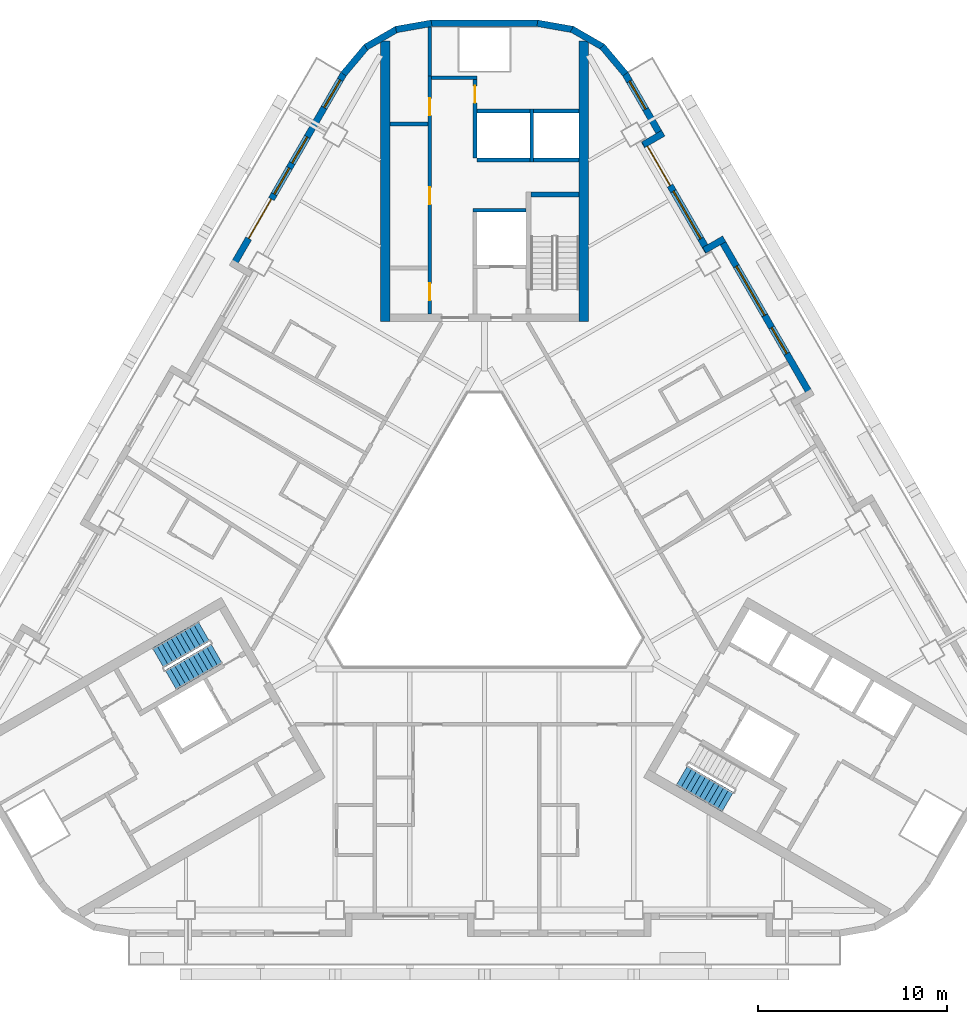
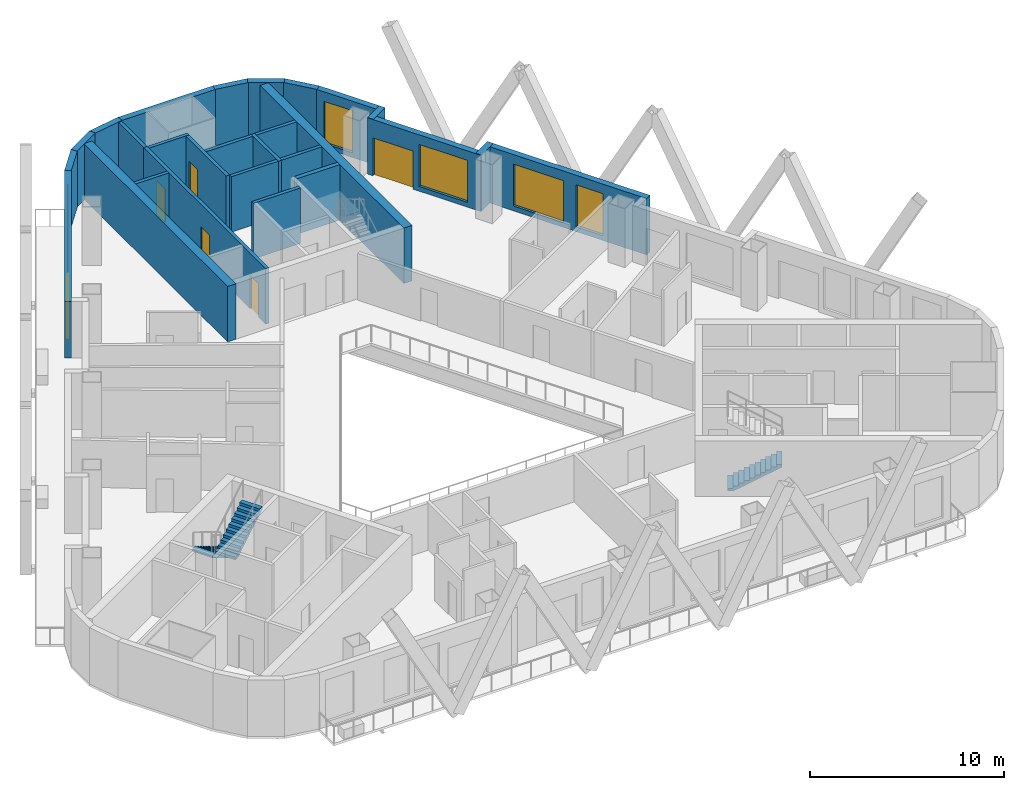
# One storey, part 7 of 14: 27 walls, 7 windows, 6 doors, 3 stair flights, 13 openings, 2 elements without a shape of their own.
"""IFC4 building model written with IfcOpenShell, lengths in metres."""

from ifc_helpers import new_model, si_unit, direction, frame, frame_2d, origin, place, context, subcontext, project, spatial, polyline, rectangle, outline, extrude, material, layer, layer_set, type_object, element, fill, aggregate, save


model = new_model("IFC4")

# Units and contexts
model_context = context("Model", 3, precision=1e-05, world=origin(), true_north=direction((0.0, 1.0)))
body_context = subcontext(model_context, "Body", "Model", "MODEL_VIEW")
ifc_project = project(units=[si_unit("LENGTHUNIT", "METRE"), si_unit("AREAUNIT", "SQUARE_METRE"), si_unit("VOLUMEUNIT", "CUBIC_METRE"), si_unit("PLANEANGLEUNIT", "RADIAN"), si_unit("MASSUNIT", "GRAM", prefix="KILO")], contexts=[model_context])

# Site, building, storey
site_placement = place(None, origin())
site = spatial("IfcSite", under=ifc_project, at=site_placement, CompositionType="ELEMENT")
building_placement = place(site_placement, origin())
building = spatial("IfcBuilding", under=site, at=building_placement, Name="Apuvela Tower Hotel", CompositionType="ELEMENT")
storey_placement = place(building_placement, frame((0.0, 0.0, 53.89990234375)))
storey = spatial("IfcBuildingStorey", under=building, at=storey_placement, Name="L10", CompositionType="ELEMENT", Elevation=53.89990234375)

# Walls
ifc_material_1 = material(Name="Concrete C50/60", Category="concrete")
ifc_layer_1 = layer(ifc_material_1, 0.5)
ifc_layer_set_1 = layer_set([ifc_layer_1], Name="COR-WALL-CORE-500")
wall_type_1 = type_object("IfcWallType", Name="COR-WALL-CORE-500", PredefinedType="SHEAR", material=ifc_layer_set_1)
for number, where, z_axis, x_axis, name in (
    (1, (5.25, 12.89990234375, 0.0), (0.0, 0.0, 1.0), (0.0, 1.0, 0.0), "Core wall N"),
    (2, (-5.25, 12.89990234375, 0.0), (0.0, 0.0, 1.0), (0.0, 1.0, 0.0), "Core wall N"),
):
    element("IfcWall", number, at=place(storey_placement, frame(where, z_axis=z_axis, x_axis=x_axis)), inside=storey, type_object=wall_type_1, Name=name, PredefinedType="SHEAR", context=body_context, shape_type="SweptSolid", body=[
        extrude(rectangle(XDim=14.8369140625, YDim=0.5, at=frame_2d((7.41845703125, 0.0))), origin(), (0.0, 0.0, 1.0), 3.5),
    ])
ifc_material_2 = material(Name="Blockwork 200 mm plastered", Category="masonry")
ifc_layer_2 = layer(ifc_material_2, 0.199951171875)
ifc_layer_set_2 = layer_set([ifc_layer_2], Name="COR-WALL-PART-200")
wall_type_2 = type_object("IfcWallType", Name="COR-WALL-PART-200", PredefinedType="PARTITIONING", material=ifc_layer_set_2)
wall_1_placement = place(storey_placement, frame((5.0, 21.449951171875, 0.0), z_axis=(0.0, 0.0, 1.0), x_axis=(-1.0, 0.0, 0.0)))
element("IfcWall", 3, at=wall_1_placement, inside=storey, type_object=wall_type_2, Name="Partition N", PredefinedType="PARTITIONING", context=body_context, shape_type="SweptSolid", body=[
    extrude(rectangle(XDim=2.39990234375, YDim=0.199951171875, at=frame_2d((1.199951171875, 0.0))), origin(), (0.0, 0.0, 1.0), 3.5),
])
wall_2_placement = place(storey_placement, frame((2.39990234375, 21.449951171875, 0.0), z_axis=(0.0, 0.0, 1.0), x_axis=(-1.0, 0.0, 0.0)))
element("IfcWall", 4, at=wall_2_placement, inside=storey, type_object=wall_type_2, Name="Partition N", PredefinedType="PARTITIONING", context=body_context, shape_type="SweptSolid", body=[
    extrude(rectangle(XDim=2.7998046875, YDim=0.199951171875, at=frame_2d((1.39990234375, 0.0))), origin(), (0.0, 0.0, 1.0), 3.5),
])
ifc_layer_3 = layer(ifc_material_1, 0.199951171875)
ifc_layer_set_3 = layer_set([ifc_layer_3], Name="COR-WALL-SHAFT-200")
wall_type_3 = type_object("IfcWallType", Name="COR-WALL-SHAFT-200", PredefinedType="SHEAR", material=ifc_layer_set_3)
wall_3_placement = place(storey_placement, frame((2.199951171875, 18.800048828125, 0.0), z_axis=(0.0, 0.0, 1.0), x_axis=(-1.0, 0.0, 0.0)))
element("IfcWall", 5, at=wall_3_placement, inside=storey, type_object=wall_type_3, Name="Shaft wall N", PredefinedType="SHEAR", context=body_context, shape_type="SweptSolid", body=[
    extrude(rectangle(XDim=2.800048828125, YDim=0.199951171875, at=frame_2d((1.39990234375, 0.0))), origin(), (0.0, 0.0, 1.0), 3.5),
])

# Wall, openings, doors
wall_4_placement = place(storey_placement, frame((-2.89990234375, 13.300048828125, 0.0), z_axis=(0.0, 0.0, 1.0), x_axis=(0.0, 1.0, 0.0)))
wall_4 = element("IfcWall", 6, at=wall_4_placement, inside=storey, type_object=wall_type_3, Name="Shaft wall N", PredefinedType="SHEAR", context=body_context, shape_type="SweptSolid", body=[
    extrude(rectangle(XDim=12.599853515625, YDim=0.199951171875, at=frame_2d((6.2998046875, 0.0))), origin(), (0.0, 0.0, 1.0), 3.5),
])
opening_1_placement = place(wall_4_placement, frame((0.719970703125, 0.0, 0.0)))
opening_1 = element("IfcOpeningElement", 7, at=opening_1_placement, cuts=wall_4, Name="Opening N-RE1", PredefinedType="OPENING", context=body_context, shape_type="SweptSolid", body=[
    extrude(rectangle(XDim=0.89990234375, YDim=2.10009765625, at=frame_2d((0.449951171875, 1.050048828125))), frame((0.0, 0.10986328125, 0.0), z_axis=(0.0, -1.0, 0.0), x_axis=(1.0, 0.0, 0.0)), (0.0, 0.0, 1.0), 0.219970703125),
])
opening_2_placement = place(wall_4_placement, frame((5.800048828125, 0.0, 0.0)))
opening_2 = element("IfcOpeningElement", 8, at=opening_2_placement, cuts=wall_4, Name="Opening N-RE2", PredefinedType="OPENING", context=body_context, shape_type="SweptSolid", body=[
    extrude(rectangle(XDim=0.89990234375, YDim=2.10009765625, at=frame_2d((0.449951171875, 1.050048828125))), frame((0.0, 0.10986328125, 0.0), z_axis=(0.0, -1.0, 0.0), x_axis=(1.0, 0.0, 0.0)), (0.0, 0.0, 1.0), 0.219970703125),
])
opening_3_placement = place(wall_4_placement, frame((10.510009765625, 0.0, 0.0)))
opening_3 = element("IfcOpeningElement", 9, at=opening_3_placement, cuts=wall_4, Name="Opening N-REP", PredefinedType="OPENING", context=body_context, shape_type="SweptSolid", body=[
    extrude(rectangle(XDim=0.89990234375, YDim=2.10009765625, at=frame_2d((0.449951171875, 1.050048828125))), frame((0.0, 0.10986328125, 0.0), z_axis=(0.0, -1.0, 0.0), x_axis=(1.0, 0.0, 0.0)), (0.0, 0.0, 1.0), 0.219970703125),
])
ifc_material_3 = material(Name="Steel fire door, powder coated", Category="steel")
door_type_1 = type_object("IfcDoorType", Name="COR-DR-900", OperationType="NOTDEFINED", PredefinedType="DOOR", material=ifc_material_3)
door_1_placement = place(opening_1_placement, origin())
door_1 = element("IfcDoor", 10, at=door_1_placement, inside=storey, type_object=door_type_1, Name="Store door N-RE1", OperationType="SINGLE_SWING_LEFT", OverallHeight=2.10009765625, OverallWidth=0.89990234375, PredefinedType="DOOR", context=body_context, shape_type="SweptSolid", body=[
    extrude(rectangle(XDim=0.89990234375, YDim=2.10009765625, at=frame_2d((0.449951171875, 1.050048828125))), frame((0.0, 0.02490234375, 0.0), z_axis=(0.0, -1.0, 0.0), x_axis=(1.0, 0.0, 0.0)), (0.0, 0.0, 1.0), 0.050048828125),
])
fill(opening_1, door_1)
door_2_placement = place(opening_2_placement, origin())
door_2 = element("IfcDoor", 11, at=door_2_placement, inside=storey, type_object=door_type_1, Name="Store door N-RE2", OperationType="SINGLE_SWING_RIGHT", OverallHeight=2.10009765625, OverallWidth=0.89990234375, PredefinedType="DOOR", context=body_context, shape_type="SweptSolid", body=[
    extrude(rectangle(XDim=0.89990234375, YDim=2.10009765625, at=frame_2d((0.449951171875, 1.050048828125))), frame((0.0, 0.02490234375, 0.0), z_axis=(0.0, -1.0, 0.0), x_axis=(1.0, 0.0, 0.0)), (0.0, 0.0, 1.0), 0.050048828125),
])
fill(opening_2, door_2)
door_3_placement = place(opening_3_placement, origin())
door_3 = element("IfcDoor", 12, at=door_3_placement, inside=storey, type_object=door_type_1, Name="Store door N-REP", OperationType="SINGLE_SWING_RIGHT", OverallHeight=2.10009765625, OverallWidth=0.89990234375, PredefinedType="DOOR", context=body_context, shape_type="SweptSolid", body=[
    extrude(rectangle(XDim=0.89990234375, YDim=2.10009765625, at=frame_2d((0.449951171875, 1.050048828125))), frame((0.0, 0.02490234375, 0.0), z_axis=(0.0, -1.0, 0.0), x_axis=(1.0, 0.0, 0.0)), (0.0, 0.0, 1.0), 0.050048828125),
])
fill(opening_3, door_3)

# Wall
wall_5_placement = place(storey_placement, frame((-0.39990234375, 25.800048828125, 0.0), z_axis=(0.0, 0.0, 1.0), x_axis=(-1.0, 0.0, 0.0)))
element("IfcWall", 13, at=wall_5_placement, inside=storey, type_object=wall_type_3, Name="Shaft wall N", PredefinedType="SHEAR", context=body_context, shape_type="SweptSolid", body=[
    extrude(rectangle(XDim=2.400146484375, YDim=0.199951171875, at=frame_2d((1.2001953125, 0.0))), origin(), (0.0, 0.0, 1.0), 3.5),
])

# Wall, opening, door
wall_6_placement = place(storey_placement, frame((-0.5, 21.550048828125, 0.0), z_axis=(0.0, 0.0, 1.0), x_axis=(0.0, 1.0, 0.0)))
wall_6 = element("IfcWall", 14, at=wall_6_placement, inside=storey, type_object=wall_type_3, Name="Shaft wall N", PredefinedType="SHEAR", context=body_context, shape_type="SweptSolid", body=[
    extrude(rectangle(XDim=4.14990234375, YDim=0.199951171875, at=frame_2d((2.074951171875, 0.0))), origin(), (0.0, 0.0, 1.0), 3.5),
])
opening_4_placement = place(wall_6_placement, frame((2.925048828125, 0.0, 0.0)))
opening_4 = element("IfcOpeningElement", 15, at=opening_4_placement, cuts=wall_6, Name="Opening N-RSP", PredefinedType="OPENING", context=body_context, shape_type="SweptSolid", body=[
    extrude(rectangle(XDim=0.89990234375, YDim=2.10009765625, at=frame_2d((0.449951171875, 1.050048828125))), frame((0.0, 0.10986328125, 0.0), z_axis=(0.0, -1.0, 0.0), x_axis=(1.0, 0.0, 0.0)), (0.0, 0.0, 1.0), 0.219970703125),
])
door_4_placement = place(opening_4_placement, frame((0.89990234375, 0.0, 0.0), z_axis=(0.0, 0.0, 1.0), x_axis=(-1.0, 0.0, 0.0)))
door_4 = element("IfcDoor", 16, at=door_4_placement, inside=storey, type_object=door_type_1, Name="Store door N-RSP", OperationType="SINGLE_SWING_LEFT", OverallHeight=2.10009765625, OverallWidth=0.89990234375, PredefinedType="DOOR", context=body_context, shape_type="SweptSolid", body=[
    extrude(rectangle(XDim=0.89990234375, YDim=2.10009765625, at=frame_2d((0.449951171875, 1.050048828125))), frame((0.0, 0.02490234375, 0.0), z_axis=(0.0, -1.0, 0.0), x_axis=(1.0, 0.0, 0.0)), (0.0, 0.0, 1.0), 0.050048828125),
])
fill(opening_4, door_4)

# Walls
wall_7_placement = place(storey_placement, frame((-3.0, 23.360107421875, 0.0), z_axis=(0.0, 0.0, 1.0), x_axis=(-1.0, 0.0, 0.0)))
element("IfcWall", 17, at=wall_7_placement, inside=storey, type_object=wall_type_3, Name="Shaft wall N", PredefinedType="SHEAR", context=body_context, shape_type="SweptSolid", body=[
    extrude(rectangle(XDim=2.0, YDim=0.199951171875, at=frame_2d((1.0, 0.0))), origin(), (0.0, 0.0, 1.0), 3.5),
])
wall_8_placement = place(storey_placement, frame((-2.89990234375, 25.89990234375, 0.0), z_axis=(0.0, 0.0, 1.0), x_axis=(0.0, 1.0, 0.0)))
element("IfcWall", 18, at=wall_8_placement, inside=storey, type_object=wall_type_3, Name="Shaft wall N", PredefinedType="SHEAR", context=body_context, shape_type="SweptSolid", body=[
    extrude(rectangle(XDim=2.60009765625, YDim=0.199951171875, at=frame_2d((1.300048828125, 0.0))), origin(), (0.0, 0.0, 1.0), 3.5),
])
wall_9_placement = place(storey_placement, frame((2.5, 21.35009765625, 0.0), z_axis=(0.0, 0.0, 1.0), x_axis=(0.0, 1.0, 0.0)))
element("IfcWall", 19, at=wall_9_placement, inside=storey, type_object=wall_type_3, Name="Shaft wall N", PredefinedType="SHEAR", context=body_context, shape_type="SweptSolid", body=[
    extrude(rectangle(XDim=2.7998046875, YDim=0.199951171875, at=frame_2d((1.39990234375, 0.0))), origin(), (0.0, 0.0, 1.0), 3.5),
])
wall_10_placement = place(storey_placement, frame((5.0, 24.050048828125, 0.0), z_axis=(0.0, 0.0, 1.0), x_axis=(-1.0, 0.0, 0.0)))
element("IfcWall", 20, at=wall_10_placement, inside=storey, type_object=wall_type_3, Name="Shaft wall N", PredefinedType="SHEAR", context=body_context, shape_type="SweptSolid", body=[
    extrude(rectangle(XDim=2.39990234375, YDim=0.199951171875, at=frame_2d((1.199951171875, 0.0))), origin(), (0.0, 0.0, 1.0), 3.5),
])
wall_11_placement = place(storey_placement, frame((2.39990234375, 24.050048828125, 0.0), z_axis=(0.0, 0.0, 1.0), x_axis=(-1.0, 0.0, 0.0)))
element("IfcWall", 21, at=wall_11_placement, inside=storey, type_object=wall_type_3, Name="Shaft wall N", PredefinedType="SHEAR", context=body_context, shape_type="SweptSolid", body=[
    extrude(rectangle(XDim=2.7998046875, YDim=0.199951171875, at=frame_2d((1.39990234375, 0.0))), origin(), (0.0, 0.0, 1.0), 3.5),
])
ifc_layer_4 = layer(ifc_material_1, 0.25)
ifc_layer_set_4 = layer_set([ifc_layer_4], Name="COR-WALL-STAIR-250")
wall_type_4 = type_object("IfcWallType", Name="COR-WALL-STAIR-250", PredefinedType="SHEAR", material=ifc_layer_set_4)
wall_12_placement = place(storey_placement, frame((5.0, 19.625, 0.0), z_axis=(0.0, 0.0, 1.0), x_axis=(-1.0, 0.0, 0.0)))
element("IfcWall", 22, at=wall_12_placement, inside=storey, type_object=wall_type_4, Name="Stair wall N", PredefinedType="SHEAR", context=body_context, shape_type="SweptSolid", body=[
    extrude(rectangle(XDim=2.550048828125, YDim=0.25, at=frame_2d((1.27490234375, 0.0))), origin(), (0.0, 0.0, 1.0), 3.5),
])

# Wall, openings, door, windows
ifc_material_4 = material(Name="Concrete C40/50, dark pigmented precast panel", Category="concrete")
ifc_layer_5 = layer(ifc_material_4, 0.35009765625)
ifc_layer_set_5 = layer_set([ifc_layer_5], Name="ENV-WALL-350")
wall_type_5 = type_object("IfcWallType", Name="ENV-WALL-350", PredefinedType="SOLIDWALL", material=ifc_layer_set_5)
wall_13_placement = place(storey_placement, frame((-7.440673828125, 26.0224609375, 0.0), z_axis=(0.0, 0.0, 1.0), x_axis=(-0.499992533062, -0.86602971478, 0.0)))
wall_13 = element("IfcWall", 23, at=wall_13_placement, inside=storey, type_object=wall_type_5, Name="External wall L10-01", PredefinedType="SOLIDWALL", context=body_context, shape_type="SweptSolid", body=[
    extrude(rectangle(XDim=11.815673828125, YDim=0.35009765625, at=frame_2d((5.90771484375, 0.0))), origin(), (0.0, 0.0, 1.0), 3.550048828125),
])
opening_5_placement = place(wall_13_placement, frame((0.381103515625, 0.0, 0.300048828125)))
opening_5 = element("IfcOpeningElement", 24, at=opening_5_placement, cuts=wall_13, Name="Opening WN17", PredefinedType="OPENING", context=body_context, shape_type="SweptSolid", body=[
    extrude(rectangle(XDim=1.699951171875, YDim=2.64990234375, at=frame_2d((0.85009765625, 1.324951171875))), frame((0.0, 0.18505859375, 0.0), z_axis=(0.0, -1.0, 0.0), x_axis=(1.0, 0.0, 0.0)), (0.0, 0.0, 1.0), 0.3701171875),
])
opening_6_placement = place(wall_13_placement, frame((7.66552734375, 0.0, 0.0)))
opening_6 = element("IfcOpeningElement", 25, at=opening_6_placement, cuts=wall_13, Name="Opening BD24", PredefinedType="OPENING", context=body_context, shape_type="SweptSolid", body=[
    extrude(rectangle(XDim=2.39990234375, YDim=2.39990234375, at=frame_2d((1.199951171875, 1.199951171875))), frame((0.0, 0.18505859375, 0.0), z_axis=(0.0, -1.0, 0.0), x_axis=(1.0, 0.0, 0.0)), (0.0, 0.0, 1.0), 0.3701171875),
])
opening_7_placement = place(wall_13_placement, frame((3.865478515625, 0.0, 0.300048828125)))
opening_7 = element("IfcOpeningElement", 26, at=opening_7_placement, cuts=wall_13, Name="Opening WN16", PredefinedType="OPENING", context=body_context, shape_type="SweptSolid", body=[
    extrude(rectangle(XDim=1.60009765625, YDim=2.64990234375, at=frame_2d((0.800048828125, 1.324951171875))), frame((0.0, 0.18505859375, 0.0), z_axis=(0.0, -1.0, 0.0), x_axis=(1.0, 0.0, 0.0)), (0.0, 0.0, 1.0), 0.3701171875),
])
opening_8_placement = place(wall_13_placement, frame((5.765380859375, 0.0, 0.300048828125)))
opening_8 = element("IfcOpeningElement", 27, at=opening_8_placement, cuts=wall_13, Name="Opening WN16", PredefinedType="OPENING", context=body_context, shape_type="SweptSolid", body=[
    extrude(rectangle(XDim=1.60009765625, YDim=2.64990234375, at=frame_2d((0.800048828125, 1.324951171875))), frame((0.0, 0.18505859375, 0.0), z_axis=(0.0, -1.0, 0.0), x_axis=(1.0, 0.0, 0.0)), (0.0, 0.0, 1.0), 0.3701171875),
])
ifc_material_5 = material(Name="Aluminium 6063-T6, dark bronze anodised frame with dark tinted laminated glass", Category="aluminium")
door_type_2 = type_object("IfcDoorType", Name="ENV-DOOR-BALCONY-2400x2400", OperationType="SLIDING_TO_LEFT", PredefinedType="DOOR", material=ifc_material_5)
door_5_placement = place(opening_6_placement, frame((2.39990234375, 0.0, 0.0), z_axis=(0.0, 0.0, 1.0), x_axis=(-1.0, 0.0, 0.0)))
door_5 = element("IfcDoor", 28, at=door_5_placement, inside=storey, type_object=door_type_2, Name="Balcony door BD24", OperationType="SLIDING_TO_LEFT", OverallHeight=2.39990234375, OverallWidth=2.39990234375, PredefinedType="DOOR", context=body_context, shape_type="SweptSolid", body=[
    extrude(rectangle(XDim=2.39990234375, YDim=2.39990234375, at=frame_2d((1.199951171875, 1.199951171875))), frame((0.0, 0.02490234375, 0.0), z_axis=(0.0, -1.0, 0.0), x_axis=(1.0, 0.0, 0.0)), (0.0, 0.0, 1.0), 0.050048828125),
])
fill(opening_6, door_5)
ifc_material_6 = material(Name="Glass, dark tinted laminated insulated glazing unit", Category="glass")
window_type_1 = type_object("IfcWindowType", Name="ENV-WIN-1600x2650", PartitioningType="SINGLE_PANEL", PredefinedType="WINDOW", material=ifc_material_6)
window_1_placement = place(opening_7_placement, origin())
window_1 = element("IfcWindow", 29, at=window_1_placement, inside=storey, type_object=window_type_1, Name="Window WN16", OverallHeight=2.64990234375, OverallWidth=1.60009765625, PartitioningType="SINGLE_PANEL", PredefinedType="WINDOW", context=body_context, shape_type="SweptSolid", body=[
    extrude(rectangle(XDim=1.60009765625, YDim=2.64990234375, at=frame_2d((0.800048828125, 1.324951171875))), frame((0.0, 0.030029296875, 0.0), z_axis=(0.0, -1.0, 0.0), x_axis=(1.0, 0.0, 0.0)), (0.0, 0.0, 1.0), 0.06005859375),
])
fill(opening_7, window_1)
window_2_placement = place(opening_8_placement, origin())
window_2 = element("IfcWindow", 30, at=window_2_placement, inside=storey, type_object=window_type_1, Name="Window WN16", OverallHeight=2.64990234375, OverallWidth=1.60009765625, PartitioningType="SINGLE_PANEL", PredefinedType="WINDOW", context=body_context, shape_type="SweptSolid", body=[
    extrude(rectangle(XDim=1.60009765625, YDim=2.64990234375, at=frame_2d((0.800048828125, 1.324951171875))), frame((0.0, 0.030029296875, 0.0), z_axis=(0.0, -1.0, 0.0), x_axis=(1.0, 0.0, 0.0)), (0.0, 0.0, 1.0), 0.06005859375),
])
fill(opening_8, window_2)
window_type_2 = type_object("IfcWindowType", Name="ENV-WIN-1700x2650", PartitioningType="SINGLE_PANEL", PredefinedType="WINDOW", material=ifc_material_6)
window_3_placement = place(opening_5_placement, origin())
window_3 = element("IfcWindow", 31, at=window_3_placement, inside=storey, type_object=window_type_2, Name="Window WN17", OverallHeight=2.64990234375, OverallWidth=1.699951171875, PartitioningType="SINGLE_PANEL", PredefinedType="WINDOW", context=body_context, shape_type="SweptSolid", body=[
    extrude(rectangle(XDim=1.699951171875, YDim=2.64990234375, at=frame_2d((0.85009765625, 1.324951171875))), frame((0.0, 0.030029296875, 0.0), z_axis=(0.0, -1.0, 0.0), x_axis=(1.0, 0.0, 0.0)), (0.0, 0.0, 1.0), 0.06005859375),
])
fill(opening_5, window_3)

# Wall, openings, windows
wall_14_placement = place(storey_placement, frame((17.298583984375, 8.947998046875, 0.0), z_axis=(0.0, 0.0, 1.0), x_axis=(-0.500010041276, 0.866019606374, 0.0)))
wall_14 = element("IfcWall", 32, at=wall_14_placement, inside=storey, type_object=wall_type_5, Name="External wall L10-37", PredefinedType="SOLIDWALL", context=body_context, shape_type="SweptSolid", body=[
    extrude(rectangle(XDim=9.699951171875, YDim=0.35009765625, at=frame_2d((4.85009765625, 0.0))), origin(), (0.0, 0.0, 1.0), 3.550048828125),
])
opening_9_placement = place(wall_14_placement, frame((2.60986328125, 0.0, 0.300048828125)))
opening_9 = element("IfcOpeningElement", 33, at=opening_9_placement, cuts=wall_14, Name="Opening WN16", PredefinedType="OPENING", context=body_context, shape_type="SweptSolid", body=[
    extrude(rectangle(XDim=1.60009765625, YDim=2.64990234375, at=frame_2d((0.800048828125, 1.324951171875))), frame((0.0, 0.18505859375, 0.0), z_axis=(0.0, -1.0, 0.0), x_axis=(1.0, 0.0, 0.0)), (0.0, 0.0, 1.0), 0.3701171875),
])
opening_10_placement = place(wall_14_placement, frame((4.94921875, 0.0, 0.300048828125)))
opening_10 = element("IfcOpeningElement", 34, at=opening_10_placement, cuts=wall_14, Name="Opening WN30", PredefinedType="OPENING", context=body_context, shape_type="SweptSolid", body=[
    extrude(rectangle(XDim=3.0, YDim=2.64990234375, at=frame_2d((1.5, 1.324951171875))), frame((0.0, 0.18505859375, 0.0), z_axis=(0.0, -1.0, 0.0), x_axis=(1.0, 0.0, 0.0)), (0.0, 0.0, 1.0), 0.3701171875),
])
window_4_placement = place(opening_9_placement, origin())
window_4 = element("IfcWindow", 35, at=window_4_placement, inside=storey, type_object=window_type_1, Name="Window WN16", OverallHeight=2.64990234375, OverallWidth=1.60009765625, PartitioningType="SINGLE_PANEL", PredefinedType="WINDOW", context=body_context, shape_type="SweptSolid", body=[
    extrude(rectangle(XDim=1.60009765625, YDim=2.64990234375, at=frame_2d((0.800048828125, 1.324951171875))), frame((0.0, 0.030029296875, 0.0), z_axis=(0.0, -1.0, 0.0), x_axis=(1.0, 0.0, 0.0)), (0.0, 0.0, 1.0), 0.06005859375),
])
fill(opening_9, window_4)
window_type_3 = type_object("IfcWindowType", Name="ENV-WIN-3000x2650", PartitioningType="SINGLE_PANEL", PredefinedType="WINDOW", material=ifc_material_6)
window_5_placement = place(opening_10_placement, origin())
window_5 = element("IfcWindow", 36, at=window_5_placement, inside=storey, type_object=window_type_3, Name="Window WN30", OverallHeight=2.64990234375, OverallWidth=3.0, PartitioningType="SINGLE_PANEL", PredefinedType="WINDOW", context=body_context, shape_type="SweptSolid", body=[
    extrude(rectangle(XDim=3.0, YDim=2.64990234375, at=frame_2d((1.5, 1.324951171875))), frame((0.0, 0.030029296875, 0.0), z_axis=(0.0, -1.0, 0.0), x_axis=(1.0, 0.0, 0.0)), (0.0, 0.0, 1.0), 0.06005859375),
])
fill(opening_10, window_5)

# Wall
wall_15_placement = place(storey_placement, frame((12.6875, 17.284423828125, 0.0), z_axis=(0.0, 0.0, 1.0), x_axis=(-0.865955602162, -0.500120880472, 0.0)))
element("IfcWall", 37, at=wall_15_placement, inside=storey, type_object=wall_type_5, Name="External wall L10-38", PredefinedType="SOLIDWALL", context=body_context, shape_type="SweptSolid", body=[
    extrude(rectangle(XDim=1.219970703125, YDim=0.35009765625, at=frame_2d((0.60986328125, 0.0))), origin(), (0.0, 0.0, 1.0), 3.550048828125),
])

# Wall, openings, door, window
wall_16_placement = place(storey_placement, frame((11.8291015625, 16.621337890625, 0.0), z_axis=(0.0, 0.0, 1.0), x_axis=(-0.500003597184, 0.866023326939, 0.0)))
wall_16 = element("IfcWall", 38, at=wall_16_placement, inside=storey, type_object=wall_type_5, Name="External wall L10-39", PredefinedType="SOLIDWALL", context=body_context, shape_type="SweptSolid", body=[
    extrude(rectangle(XDim=6.740234375, YDim=0.35009765625, at=frame_2d((3.3701171875, 0.0))), origin(), (0.0, 0.0, 1.0), 3.550048828125),
])
opening_11_placement = place(wall_16_placement, frame((4.01953125, 0.0, 0.0)))
opening_11 = element("IfcOpeningElement", 39, at=opening_11_placement, cuts=wall_16, Name="Opening BD24", PredefinedType="OPENING", context=body_context, shape_type="SweptSolid", body=[
    extrude(rectangle(XDim=2.39990234375, YDim=2.39990234375, at=frame_2d((1.199951171875, 1.199951171875))), frame((0.0, 0.18505859375, 0.0), z_axis=(0.0, -1.0, 0.0), x_axis=(1.0, 0.0, 0.0)), (0.0, 0.0, 1.0), 0.3701171875),
])
opening_12_placement = place(wall_16_placement, frame((0.77001953125, 0.0, 0.300048828125)))
opening_12 = element("IfcOpeningElement", 40, at=opening_12_placement, cuts=wall_16, Name="Opening WN29", PredefinedType="OPENING", context=body_context, shape_type="SweptSolid", body=[
    extrude(rectangle(XDim=2.89990234375, YDim=2.64990234375, at=frame_2d((1.449951171875, 1.324951171875))), frame((0.0, 0.18505859375, 0.0), z_axis=(0.0, -1.0, 0.0), x_axis=(1.0, 0.0, 0.0)), (0.0, 0.0, 1.0), 0.3701171875),
])
door_6_placement = place(opening_11_placement, frame((2.39990234375, 0.0, 0.0), z_axis=(0.0, 0.0, 1.0), x_axis=(-1.0, 0.0, 0.0)))
door_6 = element("IfcDoor", 41, at=door_6_placement, inside=storey, type_object=door_type_2, Name="Balcony door BD24", OperationType="SLIDING_TO_LEFT", OverallHeight=2.39990234375, OverallWidth=2.39990234375, PredefinedType="DOOR", context=body_context, shape_type="SweptSolid", body=[
    extrude(rectangle(XDim=2.39990234375, YDim=2.39990234375, at=frame_2d((1.199951171875, 1.199951171875))), frame((0.0, 0.02490234375, 0.0), z_axis=(0.0, -1.0, 0.0), x_axis=(1.0, 0.0, 0.0)), (0.0, 0.0, 1.0), 0.050048828125),
])
fill(opening_11, door_6)
window_type_4 = type_object("IfcWindowType", Name="ENV-WIN-2900x2650", PartitioningType="SINGLE_PANEL", PredefinedType="WINDOW", material=ifc_material_6)
window_6_placement = place(opening_12_placement, origin())
window_6 = element("IfcWindow", 42, at=window_6_placement, inside=storey, type_object=window_type_4, Name="Window WN29", OverallHeight=2.64990234375, OverallWidth=2.89990234375, PartitioningType="SINGLE_PANEL", PredefinedType="WINDOW", context=body_context, shape_type="SweptSolid", body=[
    extrude(rectangle(XDim=2.89990234375, YDim=2.64990234375, at=frame_2d((1.449951171875, 1.324951171875))), frame((0.0, 0.030029296875, 0.0), z_axis=(0.0, -1.0, 0.0), x_axis=(1.0, 0.0, 0.0)), (0.0, 0.0, 1.0), 0.06005859375),
])
fill(opening_12, window_6)

# Wall
wall_17_placement = place(storey_placement, frame((8.406005859375, 22.26025390625, 0.0), z_axis=(0.0, 0.0, 1.0), x_axis=(0.865955602162, 0.500120880472, 0.0)))
element("IfcWall", 43, at=wall_17_placement, inside=storey, type_object=wall_type_5, Name="External wall L10-40", PredefinedType="SOLIDWALL", context=body_context, shape_type="SweptSolid", body=[
    extrude(rectangle(XDim=1.219970703125, YDim=0.35009765625, at=frame_2d((0.60986328125, 0.0))), origin(), (0.0, 0.0, 1.0), 3.550048828125),
])

# Wall, opening, window
wall_18_placement = place(storey_placement, frame((9.3984375, 22.631103515625, 0.0), z_axis=(0.0, 0.0, 1.0), x_axis=(-0.499954521343, 0.866051659307, 0.0)))
wall_18 = element("IfcWall", 44, at=wall_18_placement, inside=storey, type_object=wall_type_5, Name="External wall L10-41", PredefinedType="SOLIDWALL", context=body_context, shape_type="SweptSolid", body=[
    extrude(rectangle(XDim=3.915771484375, YDim=0.35009765625, at=frame_2d((1.9580078125, 0.0))), origin(), (0.0, 0.0, 1.0), 3.550048828125),
])
opening_13_placement = place(wall_18_placement, frame((1.749755859375, 0.0, 0.300048828125)))
opening_13 = element("IfcOpeningElement", 45, at=opening_13_placement, cuts=wall_18, Name="Opening WN17", PredefinedType="OPENING", context=body_context, shape_type="SweptSolid", body=[
    extrude(rectangle(XDim=1.699951171875, YDim=2.64990234375, at=frame_2d((0.85009765625, 1.324951171875))), frame((0.0, 0.18505859375, 0.0), z_axis=(0.0, -1.0, 0.0), x_axis=(1.0, 0.0, 0.0)), (0.0, 0.0, 1.0), 0.3701171875),
])
window_7_placement = place(opening_13_placement, origin())
window_7 = element("IfcWindow", 46, at=window_7_placement, inside=storey, type_object=window_type_2, Name="Window WN17", OverallHeight=2.64990234375, OverallWidth=1.699951171875, PartitioningType="SINGLE_PANEL", PredefinedType="WINDOW", context=body_context, shape_type="SweptSolid", body=[
    extrude(rectangle(XDim=1.699951171875, YDim=2.64990234375, at=frame_2d((0.85009765625, 1.324951171875))), frame((0.0, 0.030029296875, 0.0), z_axis=(0.0, -1.0, 0.0), x_axis=(1.0, 0.0, 0.0)), (0.0, 0.0, 1.0), 0.06005859375),
])
fill(opening_13, window_7)

# Walls
wall_19_placement = place(storey_placement, frame((7.4580078125, 25.99755859375, 0.0), z_axis=(0.0, 0.0, 1.0), x_axis=(-0.642808304945, 0.766027077259, 0.0)))
element("IfcWall", 47, at=wall_19_placement, inside=storey, type_object=wall_type_5, Name="External wall L10-42", PredefinedType="SOLIDWALL", context=body_context, shape_type="SweptSolid", body=[
    extrude(rectangle(XDim=1.909912109375, YDim=0.35009765625, at=frame_2d((0.955078125, 0.0))), origin(), (0.0, 0.0, 1.0), 3.550048828125),
])
for number, where, z_axis, x_axis, name in (
    (48, (6.27685546875, 27.421630859375, 0.0), (0.0, 0.0, 1.0), (-0.866032345022, 0.499987977232, 0.0), "External wall L10-43"),
    (49, (4.6796875, 28.35595703125, 0.0), (0.0, 0.0, 1.0), (-0.984798995425, 0.173697837091, 0.0), "External wall L10-44"),
):
    element("IfcWall", number, at=place(storey_placement, frame(where, z_axis=z_axis, x_axis=x_axis)), inside=storey, type_object=wall_type_5, Name=name, PredefinedType="SOLIDWALL", context=body_context, shape_type="SweptSolid", body=[
        extrude(rectangle(XDim=1.91015625, YDim=0.35009765625, at=frame_2d((0.955078125, 0.0))), origin(), (0.0, 0.0, 1.0), 3.550048828125),
    ])
wall_20_placement = place(storey_placement, frame((2.8291015625, 28.68505859375, 0.0), z_axis=(0.0, 0.0, 1.0), x_axis=(-1.0, 0.0, 0.0)))
element("IfcWall", 50, at=wall_20_placement, inside=storey, type_object=wall_type_5, Name="External wall L10-45", PredefinedType="SOLIDWALL", context=body_context, shape_type="SweptSolid", body=[
    extrude(rectangle(XDim=5.658203125, YDim=0.35009765625, at=frame_2d((2.8291015625, 0.0))), origin(), (0.0, 0.0, 1.0), 3.550048828125),
])
for number, where, z_axis, x_axis, name in (
    (51, (-2.798583984375, 28.687744140625, 0.0), (0.0, 0.0, 1.0), (-0.984798995425, -0.173697837091, 0.0), "External wall L10-46"),
    (52, (-4.62255859375, 28.376708984375, 0.0), (0.0, 0.0, 1.0), (-0.866032345022, -0.499987977232, 0.0), "External wall L10-47"),
):
    element("IfcWall", number, at=place(storey_placement, frame(where, z_axis=z_axis, x_axis=x_axis)), inside=storey, type_object=wall_type_5, Name=name, PredefinedType="SOLIDWALL", context=body_context, shape_type="SweptSolid", body=[
        extrude(rectangle(XDim=1.91015625, YDim=0.35009765625, at=frame_2d((0.955078125, 0.0))), origin(), (0.0, 0.0, 1.0), 3.550048828125),
    ])
wall_21_placement = place(storey_placement, frame((-6.230224609375, 27.460693359375, 0.0), z_axis=(0.0, 0.0, 1.0), x_axis=(-0.642808304945, -0.766027077259, 0.0)))
element("IfcWall", 53, at=wall_21_placement, inside=storey, type_object=wall_type_5, Name="External wall L10-48", PredefinedType="SOLIDWALL", context=body_context, shape_type="SweptSolid", body=[
    extrude(rectangle(XDim=1.909912109375, YDim=0.35009765625, at=frame_2d((0.955078125, 0.0))), origin(), (0.0, 0.0, 1.0), 3.550048828125),
])

# Stair, stair flights
stair_type = type_object("IfcStairType", Name="COR-STAIR-22R", PredefinedType="HALF_TURN_STAIR", material=ifc_material_1)
stair_1_placement = place(storey_placement, origin())
stair_1 = element("IfcStair", 54, at=stair_1_placement, inside=storey, type_object=stair_type, Name="L10 Exit stair ST2", PredefinedType="HALF_TURN_STAIR")
stair_flight_type = type_object("IfcStairFlightType", Name="COR-FLIGHT-11R", PredefinedType="STRAIGHT", material=ifc_material_1)
stair_flight_1_placement = place(storey_placement, frame((-14.843994140625, -3.489501953125, 0.0), z_axis=(0.0, 0.0, 1.0), x_axis=(-0.866025403784, -0.5, 0.0)))
stair_flight_1 = element("IfcStairFlight", 55, at=stair_flight_1_placement, type_object=stair_flight_type, Name="ST2 flight 1", NumberOfRisers=11, NumberOfTreads=10, PredefinedType="STRAIGHT", RiserHeight=0.168181818, TreadLength=0.28, context=body_context, shape_type="SweptSolid", body=[
    extrude(outline(polyline([(0.0, 0.0), (0.0, 0.168212890625), (0.280029296875, 0.168212890625), (0.280029296875, 0.33642578125), (0.56005859375, 0.33642578125), (0.56005859375, 0.504638671875), (0.840087890625, 0.504638671875), (0.840087890625, 0.672607421875), (1.1201171875, 0.672607421875), (1.1201171875, 0.8408203125), (1.39990234375, 0.8408203125), (1.39990234375, 1.009033203125), (1.679931640625, 1.009033203125), (1.679931640625, 1.17724609375), (1.9599609375, 1.17724609375), (1.9599609375, 1.345458984375), (2.239990234375, 1.345458984375), (2.239990234375, 1.513671875), (2.52001953125, 1.513671875), (2.52001953125, 1.681884765625), (2.800048828125, 1.681884765625), (2.800048828125, 1.85009765625), (2.800048828125, 1.5068359375), (0.291015625, 0.0), (0.0, 0.0)])), frame((0.0, 0.60009765625, 0.0), z_axis=(0.0, -1.0, 0.0), x_axis=(1.0, 0.0, 0.0)), (0.0, 0.0, 1.0), 1.199951171875),
])
stair_flight_2_placement = place(storey_placement, frame((-16.59375, -6.05859375, 1.85009765625), z_axis=(0.0, 0.0, 1.0), x_axis=(0.866025403784, 0.5, 0.0)))
stair_flight_2 = element("IfcStairFlight", 56, at=stair_flight_2_placement, type_object=stair_flight_type, Name="ST2 flight 2", NumberOfRisers=11, NumberOfTreads=10, PredefinedType="STRAIGHT", RiserHeight=0.168181818, TreadLength=0.28, context=body_context, shape_type="SweptSolid", body=[
    extrude(outline(polyline([(0.0, 0.0), (0.0, 0.168212890625), (0.280029296875, 0.168212890625), (0.280029296875, 0.33642578125), (0.56005859375, 0.33642578125), (0.56005859375, 0.504638671875), (0.840087890625, 0.504638671875), (0.840087890625, 0.672607421875), (1.1201171875, 0.672607421875), (1.1201171875, 0.8408203125), (1.39990234375, 0.8408203125), (1.39990234375, 1.009033203125), (1.679931640625, 1.009033203125), (1.679931640625, 1.17724609375), (1.9599609375, 1.17724609375), (1.9599609375, 1.345458984375), (2.239990234375, 1.345458984375), (2.239990234375, 1.513671875), (2.52001953125, 1.513671875), (2.52001953125, 1.681884765625), (2.800048828125, 1.681884765625), (2.800048828125, 1.85009765625), (2.800048828125, 1.5068359375), (0.291015625, 0.0), (0.0, 0.0)])), frame((0.0, 0.60009765625, 0.0), z_axis=(0.0, -1.0, 0.0), x_axis=(1.0, 0.0, 0.0)), (0.0, 0.0, 1.0), 1.199951171875),
])
aggregate(stair_1, [stair_flight_1, stair_flight_2])

# Stair, stair flight
stair_2_placement = place(storey_placement, origin())
stair_2 = element("IfcStair", 57, at=stair_2_placement, inside=storey, type_object=stair_type, Name="L10 Exit stair ST3", PredefinedType="HALF_TURN_STAIR")
stair_flight_3_placement = place(storey_placement, frame((10.444091796875, -11.110595703125, 0.0), z_axis=(0.0, 0.0, 1.0), x_axis=(0.866025403784, -0.5, 0.0)))
stair_flight_3 = element("IfcStairFlight", 58, at=stair_flight_3_placement, type_object=stair_flight_type, Name="ST3 flight 1", NumberOfRisers=11, NumberOfTreads=10, PredefinedType="STRAIGHT", RiserHeight=0.168181818, TreadLength=0.28, context=body_context, shape_type="SweptSolid", body=[
    extrude(outline(polyline([(0.0, 0.0), (0.0, 0.168212890625), (0.280029296875, 0.168212890625), (0.280029296875, 0.33642578125), (0.56005859375, 0.33642578125), (0.56005859375, 0.504638671875), (0.840087890625, 0.504638671875), (0.840087890625, 0.672607421875), (1.1201171875, 0.672607421875), (1.1201171875, 0.8408203125), (1.39990234375, 0.8408203125), (1.39990234375, 1.009033203125), (1.679931640625, 1.009033203125), (1.679931640625, 1.17724609375), (1.9599609375, 1.17724609375), (1.9599609375, 1.345458984375), (2.239990234375, 1.345458984375), (2.239990234375, 1.513671875), (2.52001953125, 1.513671875), (2.52001953125, 1.681884765625), (2.800048828125, 1.681884765625), (2.800048828125, 1.85009765625), (2.800048828125, 1.5068359375), (0.291015625, 0.0), (0.0, 0.0)])), frame((0.0, 0.60009765625, 0.0), z_axis=(0.0, -1.0, 0.0), x_axis=(1.0, 0.0, 0.0)), (0.0, 0.0, 1.0), 1.199951171875),
])
aggregate(stair_2, [stair_flight_3])

save(model, "model.ifc")
